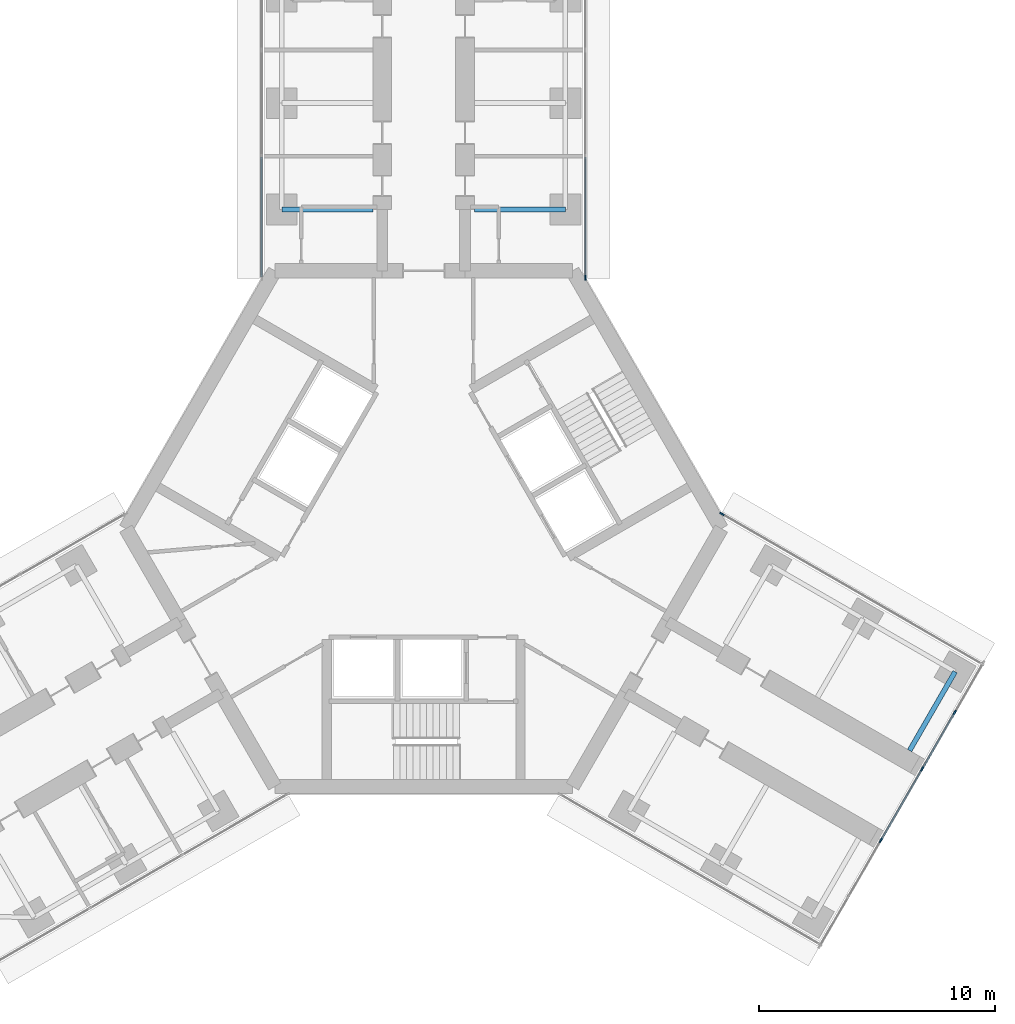
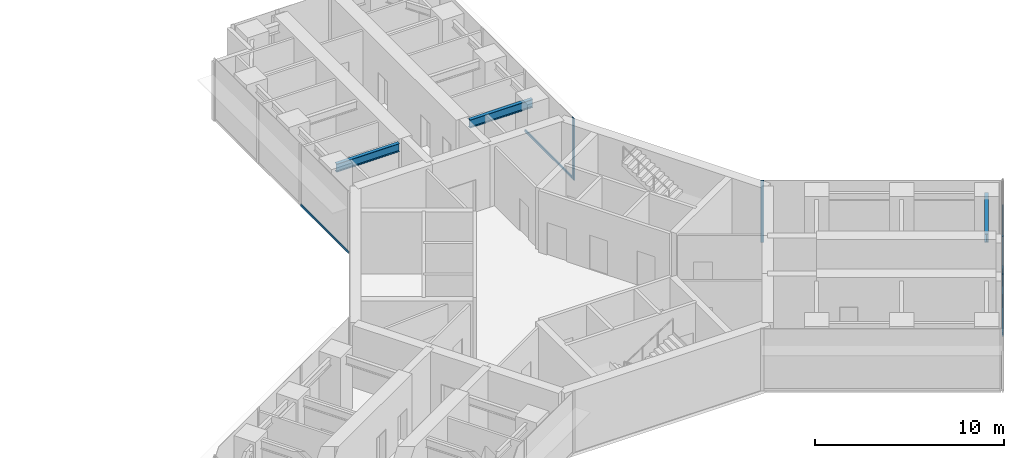
# One storey, part 10 of 22: 9 members, 3 beams, 4 elements without a shape of their own.
"""IFC4 building model written with IfcOpenShell, lengths in metres."""

from ifc_helpers import new_model, si_unit, direction, frame, origin, origin_2d, place, context, subcontext, project, spatial, rectangle, i_section, extrude, material, material_profile, profile_set, type_object, element, aggregate, save


model = new_model("IFC4")

# Units and contexts
model_context = context("Model", 3, precision=1e-05, world=origin(), true_north=direction((0.0, 1.0)))
body_context = subcontext(model_context, "Body", "Model", "MODEL_VIEW")
ifc_project = project(units=[si_unit("LENGTHUNIT", "METRE"), si_unit("AREAUNIT", "SQUARE_METRE"), si_unit("VOLUMEUNIT", "CUBIC_METRE"), si_unit("PLANEANGLEUNIT", "RADIAN"), si_unit("MASSUNIT", "GRAM", prefix="KILO")], contexts=[model_context])

# Site, building, storey
site_placement = place(None, origin())
site = spatial("IfcSite", under=ifc_project, at=site_placement, CompositionType="ELEMENT")
building_placement = place(site_placement, origin())
building = spatial("IfcBuilding", under=site, at=building_placement, Name="Upepo Twin Towers", CompositionType="ELEMENT")
storey_placement = place(building_placement, frame((0.0, 0.0, 137.5)))
storey = spatial("IfcBuildingStorey", under=building, at=storey_placement, Name="L33", CompositionType="ELEMENT", Elevation=137.5)

# Beams
ifc_material_1 = material(Name="Steel S355", Category="steel")
ifc_material_profile_1 = material_profile(ifc_material_1, i_section(OverallWidth=0.209228515625, OverallDepth=0.533203125, WebThickness=0.010009765625, FlangeThickness=0.015625, FilletRadius=0.0126953125, at=origin_2d()), Name="UB 533x210x92")
ifc_profile_set_1 = profile_set([ifc_material_profile_1], Name="Steel S355")
beam_type = type_object("IfcBeamType", Name="Beam UB 533x210x92", PredefinedType="BEAM", material=ifc_profile_set_1)
for number, where, z_axis, x_axis, name in (
    (1, (52.5, -4.5, 3.533447265625), (1.0, 0.0, 0.0), (0.0, 1.0, 0.0), "T2 girder AL at 13.5"),
    (2, (64.5, -4.5, 3.533447265625), (-1.0, 0.0, 0.0), (0.0, -1.0, 0.0), "T2 girder AR at 13.5"),
):
    element("IfcBeam", number, at=place(storey_placement, frame(where, z_axis=z_axis, x_axis=x_axis)), inside=storey, type_object=beam_type, Name=name, PredefinedType="BEAM", context=body_context, shape_type="SweptSolid", body=[
        extrude(i_section(OverallWidth=0.209228515625, OverallDepth=0.533203125, WebThickness=0.010009765625, FlangeThickness=0.015625, FilletRadius=0.0126953125, at=origin_2d()), origin(), (0.0, 0.0, 1.0), 3.85009765625),
    ])
beam_placement = place(storey_placement, frame((80.985595703125, -24.053955078125, 3.533447265625), z_axis=(-0.500033517596, -0.866006051527, 0.0), x_axis=(0.866006051527, -0.500033517596, 0.0)))
element("IfcBeam", 3, at=beam_placement, inside=storey, type_object=beam_type, Name="T2 girder CL at 22.5", PredefinedType="BEAM", context=body_context, shape_type="SweptSolid", body=[
    extrude(i_section(OverallWidth=0.209228515625, OverallDepth=0.533203125, WebThickness=0.010009765625, FlangeThickness=0.015625, FilletRadius=0.0126953125, at=origin_2d()), origin(), (0.0, 0.0, 1.0), 3.849853515625),
])

# Curtain wall, member
ifc_material_2 = material(Name="Aluminium and fritted glass", Category="aluminium")
curtain_wall_type = type_object("IfcCurtainWallType", Name="Tower curtain wall TW2, fritted glass", PredefinedType="NOTDEFINED", material=ifc_material_2)
curtain_wall_1_placement = place(storey_placement, origin())
curtain_wall_1 = element("IfcCurtainWall", 4, at=curtain_wall_1_placement, inside=storey, type_object=curtain_wall_type, Name="T2 L33 wing A flank R curtain wall", PredefinedType="NOTDEFINED")
ifc_material_3 = material(Name="Aluminium mullion", Category="aluminium")
ifc_material_profile_2 = material_profile(ifc_material_3, rectangle(XDim=0.06494140625, YDim=0.199951171875, at=origin_2d()), Name="MULLION 65x200")
ifc_profile_set_2 = profile_set([ifc_material_profile_2], Name="Aluminium mullion")
member_type_1 = type_object("IfcMemberType", Name="Mullion 65x200 TW2", PredefinedType="MULLION", material=ifc_profile_set_2)
member_1_placement = place(storey_placement, frame((65.35009765625, -7.38037109375, 0.0), z_axis=(0.0, 0.0, 1.0), x_axis=(1.0, 0.0, 0.0)))
member_1 = element("IfcMember", 5, at=member_1_placement, type_object=member_type_1, Name="T2 L33 wing A flank R curtain wall mullion 4", PredefinedType="MULLION", context=body_context, shape_type="SweptSolid", body=[
    extrude(rectangle(XDim=0.06494140625, YDim=0.199951171875, at=origin_2d()), origin(), (0.0, 0.0, 1.0), 4.0),
])

curtain_wall_2_placement = place(storey_placement, origin())
curtain_wall_2 = element("IfcCurtainWall", 6, at=curtain_wall_2_placement, inside=storey, type_object=curtain_wall_type, Name="T2 L33 wing C flank L curtain wall", PredefinedType="NOTDEFINED")
member_2_placement = place(storey_placement, frame((71.121826171875, -17.37744140625, 0.0), z_axis=(0.0, 0.0, 1.0), x_axis=(0.50000000792, 0.866025399212, 0.0)))
member_2 = element("IfcMember", 7, at=member_2_placement, type_object=member_type_1, Name="T2 L33 wing C flank L curtain wall mullion 1", PredefinedType="MULLION", context=body_context, shape_type="SweptSolid", body=[
    extrude(rectangle(XDim=0.06494140625, YDim=0.199951171875, at=origin_2d()), origin(), (0.0, 0.0, 1.0), 4.0),
])
aggregate(curtain_wall_2, [member_2])

# Curtain wall, members
curtain_wall_3_placement = place(storey_placement, origin())
curtain_wall_3 = element("IfcCurtainWall", 8, at=curtain_wall_3_placement, inside=storey, type_object=curtain_wall_type, Name="T2 L33 wing C nose curtain wall", PredefinedType="NOTDEFINED")
member_3_placement = place(storey_placement, frame((77.8466796875, -31.1904296875, 0.0), z_axis=(0.0, 0.0, 1.0), x_axis=(-0.866025419745, 0.499999972355, 0.0)))
member_3 = element("IfcMember", 9, at=member_3_placement, type_object=member_type_1, Name="T2 L33 wing C nose curtain wall mullion 3", PredefinedType="MULLION", context=body_context, shape_type="SweptSolid", body=[
    extrude(rectangle(XDim=0.06494140625, YDim=0.199951171875, at=origin_2d()), origin(), (0.0, 0.0, 1.0), 4.0),
])
member_4_placement = place(storey_placement, frame((79.5966796875, -28.159423828125, 0.0), z_axis=(0.0, 0.0, 1.0), x_axis=(-0.866025419745, 0.499999972355, 0.0)))
member_4 = element("IfcMember", 10, at=member_4_placement, type_object=member_type_1, Name="T2 L33 wing C nose curtain wall mullion 4", PredefinedType="MULLION", context=body_context, shape_type="SweptSolid", body=[
    extrude(rectangle(XDim=0.06494140625, YDim=0.199951171875, at=origin_2d()), origin(), (0.0, 0.0, 1.0), 4.0),
])
member_5_placement = place(storey_placement, frame((80.9716796875, -25.77783203125, 0.0), z_axis=(0.0, 0.0, 1.0), x_axis=(-0.866025419745, 0.499999972355, 0.0)))
member_5 = element("IfcMember", 11, at=member_5_placement, type_object=member_type_1, Name="T2 L33 wing C nose curtain wall mullion 5", PredefinedType="MULLION", context=body_context, shape_type="SweptSolid", body=[
    extrude(rectangle(XDim=0.06494140625, YDim=0.199951171875, at=origin_2d()), origin(), (0.0, 0.0, 1.0), 4.0),
])

# Curtain wall, member
curtain_wall_4_placement = place(storey_placement, origin())
curtain_wall_4 = element("IfcCurtainWall", 12, at=curtain_wall_4_placement, inside=storey, type_object=curtain_wall_type, Name="T2 L33 wing A flank L curtain wall", PredefinedType="NOTDEFINED")
ifc_material_4 = material(Name="Aluminium transom", Category="aluminium")
ifc_material_profile_3 = material_profile(ifc_material_4, rectangle(XDim=0.06494140625, YDim=0.14990234375, at=origin_2d()), Name="TRANSOM 65x150")
ifc_profile_set_3 = profile_set([ifc_material_profile_3], Name="Aluminium transom")
member_type_2 = type_object("IfcMemberType", Name="Transom 65x150 TW2", PredefinedType="USERDEFINED", material=ifc_profile_set_3)
member_6_placement = place(storey_placement, frame((51.64990234375, -7.347900390625, 0.074951171875), z_axis=(0.0, 1.0, 0.0), x_axis=(-1.0, 0.0, 0.0)))
member_6 = element("IfcMember", 13, at=member_6_placement, type_object=member_type_2, Name="T2 L33 wing A flank L curtain wall transom 1", ObjectType="TRANSOM", PredefinedType="USERDEFINED", context=body_context, shape_type="SweptSolid", body=[
    extrude(rectangle(XDim=0.06494140625, YDim=0.14990234375, at=origin_2d()), origin(), (0.0, 0.0, 1.0), 5.0654296875),
])
aggregate(curtain_wall_4, [member_6])

# Member
member_7_placement = place(storey_placement, frame((65.35009765625, -2.282470703125, 0.074951171875), z_axis=(0.0, -1.0, 0.0), x_axis=(1.0, 0.0, 0.0)))
member_7 = element("IfcMember", 14, at=member_7_placement, type_object=member_type_2, Name="T2 L33 wing A flank R curtain wall transom 3", ObjectType="TRANSOM", PredefinedType="USERDEFINED", context=body_context, shape_type="SweptSolid", body=[
    extrude(rectangle(XDim=0.06494140625, YDim=0.14990234375, at=origin_2d()), origin(), (0.0, 0.0, 1.0), 5.0654296875),
])

aggregate(curtain_wall_1, [member_1, member_7])

member_8_placement = place(storey_placement, frame((77.863037109375, -31.162353515625, 0.074951171875), z_axis=(0.499945997713, 0.866056579774, 0.0), x_axis=(-0.866056579774, 0.499945997713, 0.0)))
member_8 = element("IfcMember", 15, at=member_8_placement, type_object=member_type_2, Name="T2 L33 wing C nose curtain wall transom 3", ObjectType="TRANSOM", PredefinedType="USERDEFINED", context=body_context, shape_type="SweptSolid", body=[
    extrude(rectangle(XDim=0.06494140625, YDim=0.14990234375, at=origin_2d()), origin(), (0.0, 0.0, 1.0), 3.43505859375),
])

member_9_placement = place(storey_placement, frame((79.613037109375, -28.13134765625, 0.074951171875), z_axis=(0.49995335277, 0.8660523339, 0.0), x_axis=(-0.8660523339, 0.49995335277, 0.0)))
member_9 = element("IfcMember", 16, at=member_9_placement, type_object=member_type_2, Name="T2 L33 wing C nose curtain wall transom 4", ObjectType="TRANSOM", PredefinedType="USERDEFINED", context=body_context, shape_type="SweptSolid", body=[
    extrude(rectangle(XDim=0.06494140625, YDim=0.14990234375, at=origin_2d()), origin(), (0.0, 0.0, 1.0), 2.684814453125),
])

aggregate(curtain_wall_3, [member_3, member_4, member_5, member_8, member_9])

save(model, "model.ifc")
